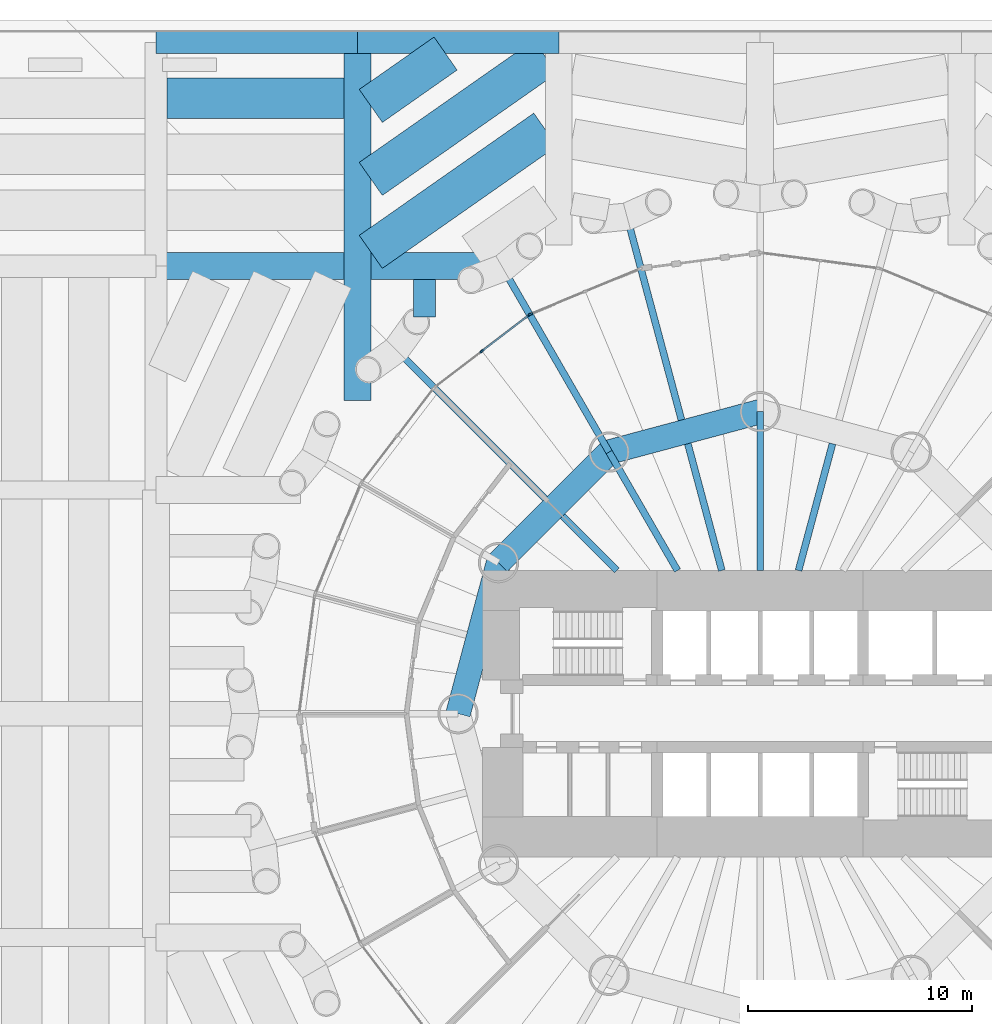
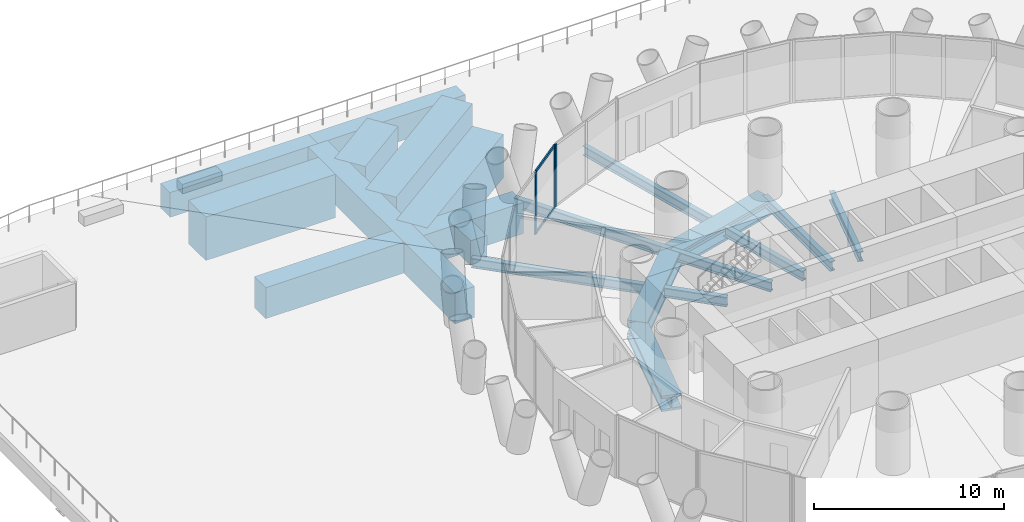
# One storey, part 6 of 19: 20 beams, 5 members, 2 elements without a shape of their own.
"""IFC4 building model written with IfcOpenShell, lengths in metres."""

from ifc_helpers import new_model, si_unit, direction, frame, origin, origin_2d, place, context, subcontext, project, spatial, rectangle, i_section, extrude, material, material_profile, profile_set, type_object, element, aggregate, save


model = new_model("IFC4")

# Units and contexts
model_context = context("Model", 3, precision=1e-05, world=origin(), true_north=direction((0.0, 1.0)))
body_context = subcontext(model_context, "Body", "Model", "MODEL_VIEW")
ifc_project = project(units=[si_unit("LENGTHUNIT", "METRE"), si_unit("AREAUNIT", "SQUARE_METRE"), si_unit("VOLUMEUNIT", "CUBIC_METRE"), si_unit("PLANEANGLEUNIT", "RADIAN"), si_unit("MASSUNIT", "GRAM", prefix="KILO")], contexts=[model_context])

# Site, building, storey
site_placement = place(None, origin())
site = spatial("IfcSite", under=ifc_project, at=site_placement, CompositionType="ELEMENT")
building_placement = place(site_placement, origin())
building = spatial("IfcBuilding", under=site, at=building_placement, Name="Qaws Media Tower", CompositionType="ELEMENT")
storey_placement = place(building_placement, frame((0.0, 0.0, 26.0)))
storey = spatial("IfcBuildingStorey", under=building, at=storey_placement, Name="L04", CompositionType="ELEMENT", Elevation=26.0)

# Curtain wall, member
ifc_material_1 = material(Name="Aluminium and clear glass", Category="aluminium")
curtain_wall_type = type_object("IfcCurtainWallType", Name="Unitised curtain wall CW-A", PredefinedType="NOTDEFINED", material=ifc_material_1)
curtain_wall_1_placement = place(storey_placement, origin())
curtain_wall_1 = element("IfcCurtainWall", 1, at=curtain_wall_1_placement, inside=storey, type_object=curtain_wall_type, Name="CWA curtain wall L04-08", PredefinedType="NOTDEFINED")
ifc_material_2 = material(Name="Aluminium mullion", Category="aluminium")
ifc_material_profile_1 = material_profile(ifc_material_2, rectangle(XDim=0.080078125, YDim=0.199951171875, at=origin_2d()), Name="80x200")
ifc_profile_set_1 = profile_set([ifc_material_profile_1], Name="Aluminium mullion")
member_type_1 = type_object("IfcMemberType", Name="Curtain wall mullion 80x200", PredefinedType="MULLION", material=ifc_profile_set_1)
member_1_placement = place(storey_placement, frame((49.737060546875, 67.85546875, 0.0), z_axis=(0.0, 0.0, 1.0), x_axis=(0.382683457778, -0.923879521985, 0.0)))
member_1 = element("IfcMember", 2, at=member_1_placement, type_object=member_type_1, Name="CWA mullion 3", PredefinedType="MULLION", context=body_context, shape_type="SweptSolid", body=[
    extrude(rectangle(XDim=0.080078125, YDim=0.199951171875, at=origin_2d()), origin(), (0.0, 0.0, 1.0), 4.0400390625),
])
aggregate(curtain_wall_1, [member_1])

# Curtain wall, members
curtain_wall_2_placement = place(storey_placement, origin())
curtain_wall_2 = element("IfcCurtainWall", 3, at=curtain_wall_2_placement, inside=storey, type_object=curtain_wall_type, Name="CWA curtain wall L04-09", PredefinedType="NOTDEFINED")
member_2_placement = place(storey_placement, frame((49.668212890625, 67.815673828125, 0.0), z_axis=(0.0, 0.0, 1.0), x_axis=(0.608761328178, -0.793353417662, 0.0)))
member_2 = element("IfcMember", 4, at=member_2_placement, type_object=member_type_1, Name="CWA mullion 1", PredefinedType="MULLION", context=body_context, shape_type="SweptSolid", body=[
    extrude(rectangle(XDim=0.080078125, YDim=0.199951171875, at=origin_2d()), origin(), (0.0, 0.0, 1.0), 4.0400390625),
])
member_3_placement = place(storey_placement, frame((47.56689453125, 66.203369140625, 0.0), z_axis=(0.0, 0.0, 1.0), x_axis=(0.608761328178, -0.793353417662, 0.0)))
member_3 = element("IfcMember", 5, at=member_3_placement, type_object=member_type_1, Name="CWA mullion 2", PredefinedType="MULLION", context=body_context, shape_type="SweptSolid", body=[
    extrude(rectangle(XDim=0.080078125, YDim=0.199951171875, at=origin_2d()), origin(), (0.0, 0.0, 1.0), 4.0400390625),
])
ifc_material_3 = material(Name="Aluminium transom", Category="aluminium")
ifc_material_profile_2 = material_profile(ifc_material_3, rectangle(XDim=0.080078125, YDim=0.159912109375, at=origin_2d()), Name="80x160")
ifc_profile_set_2 = profile_set([ifc_material_profile_2], Name="Aluminium transom")
member_type_2 = type_object("IfcMemberType", Name="Curtain wall transom 80x160", PredefinedType="USERDEFINED", material=ifc_profile_set_2)
member_4_placement = place(storey_placement, frame((49.636474609375, 67.79150390625, 0.0400390625), z_axis=(-0.793301853491, -0.608828522039, 0.0), x_axis=(0.608828522039, -0.793301853491, 0.0)))
member_4 = element("IfcMember", 6, at=member_4_placement, type_object=member_type_2, Name="CWA transom 1.1", ObjectType="TRANSOM", PredefinedType="USERDEFINED", context=body_context, shape_type="SweptSolid", body=[
    extrude(rectangle(XDim=0.080078125, YDim=0.159912109375, at=origin_2d()), origin(), (0.0, 0.0, 1.0), 2.56884765625),
])
member_5_placement = place(storey_placement, frame((49.636474609375, 67.79150390625, 4.0), z_axis=(-0.793301853491, -0.608828522039, 0.0), x_axis=(0.608828522039, -0.793301853491, 0.0)))
member_5 = element("IfcMember", 7, at=member_5_placement, type_object=member_type_2, Name="CWA transom 1.2", ObjectType="TRANSOM", PredefinedType="USERDEFINED", context=body_context, shape_type="SweptSolid", body=[
    extrude(rectangle(XDim=0.080078125, YDim=0.159912109375, at=origin_2d()), origin(), (0.0, 0.0, 1.0), 2.56884765625),
])
aggregate(curtain_wall_2, [member_2, member_3, member_4, member_5])

# Beams
ifc_material_4 = material(Name="Steel S460", Category="steel")
ifc_material_profile_3 = material_profile(ifc_material_4, i_section(OverallWidth=1.10009765625, OverallDepth=1.0, WebThickness=0.06005859375, FlangeThickness=0.14990234375, at=origin_2d()), Name="PG 1000x1100")
ifc_profile_set_3 = profile_set([ifc_material_profile_3], Name="Steel S460")
beam_type_1 = type_object("IfcBeamType", Name="Inner ring girder PG 1000x1100", PredefinedType="BEAM", material=ifc_profile_set_3)
beam_1_placement = place(storey_placement, frame((60.0, 63.5, -0.659912109375), z_axis=(-0.965928090778, -0.258810593767, 0.0), x_axis=(0.258810593767, -0.965928090778, 0.0)))
element("IfcBeam", 8, at=beam_1_placement, inside=storey, type_object=beam_type_1, Name="B3 inner ring beam L04 I04-I05", PredefinedType="BEAM", context=body_context, shape_type="SweptSolid", body=[
    extrude(i_section(OverallWidth=1.10009765625, OverallDepth=1.0, WebThickness=0.06005859375, FlangeThickness=0.14990234375, at=origin_2d()), origin(), (0.0, 0.0, 1.0), 6.988037109375),
])
beam_2_placement = place(storey_placement, frame((53.25, 61.69140625, -0.659912109375), z_axis=(-0.707106781187, -0.707106781187, 0.0), x_axis=(0.707106781187, -0.707106781187, 0.0)))
element("IfcBeam", 9, at=beam_2_placement, inside=storey, type_object=beam_type_1, Name="B3 inner ring beam L04 I05-I06", PredefinedType="BEAM", context=body_context, shape_type="SweptSolid", body=[
    extrude(i_section(OverallWidth=1.10009765625, OverallDepth=1.0, WebThickness=0.06005859375, FlangeThickness=0.14990234375, at=origin_2d()), origin(), (0.0, 0.0, 1.0), 6.98828125),
])
beam_3_placement = place(storey_placement, frame((48.30859375, 56.75, -0.659912109375), z_axis=(-0.258810593767, -0.965928090778, 0.0), x_axis=(0.965928090778, -0.258810593767, 0.0)))
element("IfcBeam", 10, at=beam_3_placement, inside=storey, type_object=beam_type_1, Name="B3 inner ring beam L04 I06-I07", PredefinedType="BEAM", context=body_context, shape_type="SweptSolid", body=[
    extrude(i_section(OverallWidth=1.10009765625, OverallDepth=1.0, WebThickness=0.06005859375, FlangeThickness=0.14990234375, at=origin_2d()), origin(), (0.0, 0.0, 1.0), 6.988037109375),
])
ifc_material_5 = material(Name="Concrete C60/75", Category="concrete")
ifc_material_profile_4 = material_profile(ifc_material_5, rectangle(XDim=1.199951171875, YDim=2.0, at=origin_2d()), Name="RC 1200x2000")
ifc_profile_set_4 = profile_set([ifc_material_profile_4], Name="Concrete C60/75")
beam_type_2 = type_object("IfcBeamType", Name="Podium long trimmer beam RC 1200x2000", PredefinedType="BEAM", material=ifc_profile_set_4)
beam_4_placement = place(storey_placement, frame((33.0, 70.0, -1.300048828125), z_axis=(1.0, 0.0, 0.0), x_axis=(0.0, 1.0, 0.0)))
element("IfcBeam", 11, at=beam_4_placement, inside=storey, type_object=beam_type_2, Name="PB11 beam 3/F to the tower ring", PredefinedType="BEAM", context=body_context, shape_type="SweptSolid", body=[
    extrude(rectangle(XDim=1.199951171875, YDim=2.0, at=origin_2d()), origin(), (0.0, 0.0, 1.0), 15.696533203125),
])
beam_5_placement = place(storey_placement, frame((42.0, 80.0, -1.300048828125), z_axis=(0.0, -1.0, 0.0), x_axis=(1.0, 0.0, 0.0)))
element("IfcBeam", 12, at=beam_5_placement, inside=storey, type_object=beam_type_2, Name="PB11 beam 4/G to the tower ring", PredefinedType="BEAM", context=body_context, shape_type="SweptSolid", body=[
    extrude(rectangle(XDim=1.199951171875, YDim=2.0, at=origin_2d()), origin(), (0.0, 0.0, 1.0), 15.999755859375),
])
ifc_material_6 = material(Name="Concrete C60/75", Category="concrete")
ifc_material_profile_5 = material_profile(ifc_material_6, rectangle(XDim=1.0, YDim=1.60009765625, at=origin_2d()), Name="RC 1000x1600")
ifc_profile_set_5 = profile_set([ifc_material_profile_5], Name="Concrete C60/75")
beam_type_3 = type_object("IfcBeamType", Name="Podium roof girder RC 1000x1600", PredefinedType="BEAM", material=ifc_profile_set_5)
for number, where, z_axis, x_axis, name in (
    (13, (33.0, 80.0, -1.10009765625), (1.0, 0.0, 0.0), (0.0, 1.0, 0.0), "PB10 beam 3-4/G"),
    (14, (42.0, 80.0, -1.10009765625), (1.0, 0.0, 0.0), (0.0, 1.0, 0.0), "PB10 beam 4-5/G"),
):
    element("IfcBeam", number, at=place(storey_placement, frame(where, z_axis=z_axis, x_axis=x_axis)), inside=storey, type_object=beam_type_3, Name=name, PredefinedType="BEAM", context=body_context, shape_type="SweptSolid", body=[
        extrude(rectangle(XDim=1.0, YDim=1.60009765625, at=origin_2d()), origin(), (0.0, 0.0, 1.0), 9.0),
    ])
ifc_material_7 = material(Name="Concrete C60/75", Category="concrete")
ifc_material_profile_6 = material_profile(ifc_material_7, rectangle(XDim=1.0, YDim=1.60009765625, at=origin_2d()), Name="RC 1000x1600")
ifc_profile_set_6 = profile_set([ifc_material_profile_6], Name="Concrete C60/75")
beam_type_4 = type_object("IfcBeamType", Name="Podium roof ring secondary beam RC 1000x1600", PredefinedType="BEAM", material=ifc_profile_set_6)
beam_6_placement = place(storey_placement, frame((45.0, 67.737060546875, -1.10009765625), z_axis=(0.0, 1.0, 0.0), x_axis=(-1.0, 0.0, 0.0)))
element("IfcBeam", 15, at=beam_6_placement, inside=storey, type_object=beam_type_4, Name="PB13 beam bay 4E line 1", PredefinedType="BEAM", context=body_context, shape_type="SweptSolid", body=[
    extrude(rectangle(XDim=1.0, YDim=1.60009765625, at=origin_2d()), origin(), (0.0, 0.0, 1.0), 1.662841796875),
])
ifc_material_8 = material(Name="Concrete C60/75", Category="concrete")
ifc_material_profile_7 = material_profile(ifc_material_8, rectangle(XDim=1.800048828125, YDim=2.800048828125, at=origin_2d()), Name="RC 1800x2800")
ifc_profile_set_7 = profile_set([ifc_material_profile_7], Name="Concrete C60/75")
beam_type_5 = type_object("IfcBeamType", Name="Podium roof secondary beam RC 1800x2800", PredefinedType="BEAM", material=ifc_profile_set_7)
beam_7_placement = place(storey_placement, frame((33.5, 77.5, -1.699951171875), z_axis=(1.0, 0.0, 0.0), x_axis=(0.0, 1.0, 0.0)))
element("IfcBeam", 16, at=beam_7_placement, inside=storey, type_object=beam_type_5, Name="PB8 beam bay 3F line 3", PredefinedType="BEAM", context=body_context, shape_type="SweptSolid", body=[
    extrude(rectangle(XDim=1.800048828125, YDim=2.800048828125, at=origin_2d()), origin(), (0.0, 0.0, 1.0), 7.89990234375),
])
for number, where, z_axis, x_axis, name in (
    (17, (42.60009765625, 70.638916015625, -1.699951171875), (0.819142773334, 0.57358967642, 0.0), (-0.57358967642, 0.819142773334, 0.0), "PB8 beam bay 4F line 2"),
    (18, (42.60009765625, 73.8994140625, -1.699951171875), (0.819142773334, 0.57358967642, 0.0), (-0.57358967642, 0.819142773334, 0.0), "PB8 beam bay 4F line 3"),
):
    element("IfcBeam", number, at=place(storey_placement, frame(where, z_axis=z_axis, x_axis=x_axis)), inside=storey, type_object=beam_type_5, Name=name, PredefinedType="BEAM", context=body_context, shape_type="SweptSolid", body=[
        extrude(rectangle(XDim=1.800048828125, YDim=2.800048828125, at=origin_2d()), origin(), (0.0, 0.0, 1.0), 9.52197265625),
    ])
beam_8_placement = place(storey_placement, frame((42.60009765625, 77.15966796875, -1.699951171875), z_axis=(0.819127892639, 0.573610926937, 0.0), x_axis=(-0.573610926937, 0.819127892639, 0.0)))
element("IfcBeam", 19, at=beam_8_placement, inside=storey, type_object=beam_type_5, Name="PB8 beam bay 4F line 4", PredefinedType="BEAM", context=body_context, shape_type="SweptSolid", body=[
    extrude(rectangle(XDim=1.800048828125, YDim=2.800048828125, at=origin_2d()), origin(), (0.0, 0.0, 1.0), 4.080078125),
])
ifc_material_9 = material(Name="Steel S355", Category="steel")
ifc_material_profile_8 = material_profile(ifc_material_9, i_section(OverallWidth=0.304931640625, OverallDepth=0.6201171875, WebThickness=0.02099609375, FlangeThickness=0.0400390625, FilletRadius=0.027099609375, at=origin_2d()), Name="HE 600 M")
ifc_profile_set_8 = profile_set([ifc_material_profile_8], Name="Steel S355")
beam_type_6 = type_object("IfcBeamType", Name="Radial beam HE 600 M", PredefinedType="BEAM", material=ifc_profile_set_8)
beam_9_placement = place(storey_placement, frame((56.482666015625, 63.126953125, -0.469970703125), z_axis=(-0.258825134703, 0.965924194565, 0.0), x_axis=(-0.965924194565, -0.258825134703, 0.0)))
element("IfcBeam", 20, at=beam_9_placement, inside=storey, type_object=beam_type_6, Name="B1 radial beam L04 08", PredefinedType="BEAM", context=body_context, shape_type="SweptSolid", body=[
    extrude(i_section(OverallWidth=0.304931640625, OverallDepth=0.6201171875, WebThickness=0.02099609375, FlangeThickness=0.0400390625, FilletRadius=0.027099609375, at=origin_2d()), origin(), (0.0, 0.0, 1.0), 9.409912109375),
])
beam_10_placement = place(storey_placement, frame((53.25, 61.69140625, -0.469970703125), z_axis=(-0.499997557548, 0.86602681393, 0.0), x_axis=(-0.86602681393, -0.499997557548, 0.0)))
element("IfcBeam", 21, at=beam_10_placement, inside=storey, type_object=beam_type_6, Name="B1 radial beam L04 09", PredefinedType="BEAM", context=body_context, shape_type="SweptSolid", body=[
    extrude(i_section(OverallWidth=0.304931640625, OverallDepth=0.6201171875, WebThickness=0.02099609375, FlangeThickness=0.0400390625, FilletRadius=0.027099609375, at=origin_2d()), origin(), (0.0, 0.0, 1.0), 9.5),
])
beam_11_placement = place(storey_placement, frame((50.390380859375, 59.609619140625, -0.469970703125), z_axis=(-0.707106781187, 0.707106781187, 0.0), x_axis=(-0.707106781187, -0.707106781187, 0.0)))
element("IfcBeam", 22, at=beam_11_placement, inside=storey, type_object=beam_type_6, Name="B1 radial beam L04 10", PredefinedType="BEAM", context=body_context, shape_type="SweptSolid", body=[
    extrude(i_section(OverallWidth=0.304931640625, OverallDepth=0.6201171875, WebThickness=0.02099609375, FlangeThickness=0.0400390625, FilletRadius=0.027099609375, at=origin_2d()), origin(), (0.0, 0.0, 1.0), 9.409912109375),
])
ifc_material_10 = material(Name="Steel S355", Category="steel")
ifc_material_profile_9 = material_profile(ifc_material_10, i_section(OverallWidth=0.304931640625, OverallDepth=0.6201171875, WebThickness=0.02099609375, FlangeThickness=0.0400390625, FilletRadius=0.027099609375, at=origin_2d()), Name="HE 600 M")
ifc_profile_set_9 = profile_set([ifc_material_profile_9], Name="Steel S355")
beam_type_7 = type_object("IfcBeamType", Name="Radial beam HE 600 M, core side", PredefinedType="BEAM", material=ifc_profile_set_9)
beam_12_placement = place(storey_placement, frame((61.71484375, 56.39990234375, -0.469970703125), z_axis=(0.258820709001, 0.965925380447, 0.0), x_axis=(-0.965925380447, 0.258820709001, 0.0)))
element("IfcBeam", 23, at=beam_12_placement, inside=storey, type_object=beam_type_7, Name="B2 radial beam L04 06", PredefinedType="BEAM", context=body_context, shape_type="SweptSolid", body=[
    extrude(i_section(OverallWidth=0.304931640625, OverallDepth=0.6201171875, WebThickness=0.02099609375, FlangeThickness=0.0400390625, FilletRadius=0.027099609375, at=origin_2d()), origin(), (0.0, 0.0, 1.0), 5.8642578125),
])
beam_13_placement = place(storey_placement, frame((60.0, 56.39990234375, -0.469970703125), z_axis=(0.0, 1.0, 0.0), x_axis=(-1.0, 0.0, 0.0)))
element("IfcBeam", 24, at=beam_13_placement, inside=storey, type_object=beam_type_7, Name="B2 radial beam L04 07", PredefinedType="BEAM", context=body_context, shape_type="SweptSolid", body=[
    extrude(i_section(OverallWidth=0.304931640625, OverallDepth=0.6201171875, WebThickness=0.02099609375, FlangeThickness=0.0400390625, FilletRadius=0.027099609375, at=origin_2d()), origin(), (0.0, 0.0, 1.0), 7.10009765625),
])
beam_14_placement = place(storey_placement, frame((58.28515625, 56.39990234375, -0.469970703125), z_axis=(-0.258820709001, 0.965925380447, 0.0), x_axis=(-0.965925380447, -0.258820709001, 0.0)))
element("IfcBeam", 25, at=beam_14_placement, inside=storey, type_object=beam_type_7, Name="B2 radial beam L04 08", PredefinedType="BEAM", context=body_context, shape_type="SweptSolid", body=[
    extrude(i_section(OverallWidth=0.304931640625, OverallDepth=0.6201171875, WebThickness=0.02099609375, FlangeThickness=0.0400390625, FilletRadius=0.027099609375, at=origin_2d()), origin(), (0.0, 0.0, 1.0), 5.8642578125),
])
beam_15_placement = place(storey_placement, frame((56.304931640625, 56.39990234375, -0.469970703125), z_axis=(-0.49998532359, 0.866033877048, 0.0), x_axis=(-0.866033877048, -0.49998532359, 0.0)))
element("IfcBeam", 26, at=beam_15_placement, inside=storey, type_object=beam_type_7, Name="B2 radial beam L04 09", PredefinedType="BEAM", context=body_context, shape_type="SweptSolid", body=[
    extrude(i_section(OverallWidth=0.304931640625, OverallDepth=0.6201171875, WebThickness=0.02099609375, FlangeThickness=0.0400390625, FilletRadius=0.027099609375, at=origin_2d()), origin(), (0.0, 0.0, 1.0), 6.110107421875),
])
beam_16_placement = place(storey_placement, frame((53.60009765625, 56.39990234375, -0.469970703125), z_axis=(-0.707106781187, 0.707106781187, 0.0), x_axis=(-0.707106781187, -0.707106781187, 0.0)))
element("IfcBeam", 27, at=beam_16_placement, inside=storey, type_object=beam_type_7, Name="B2 radial beam L04 10", PredefinedType="BEAM", context=body_context, shape_type="SweptSolid", body=[
    extrude(i_section(OverallWidth=0.304931640625, OverallDepth=0.6201171875, WebThickness=0.02099609375, FlangeThickness=0.0400390625, FilletRadius=0.027099609375, at=origin_2d()), origin(), (0.0, 0.0, 1.0), 3.439208984375),
])

save(model, "model.ifc")
